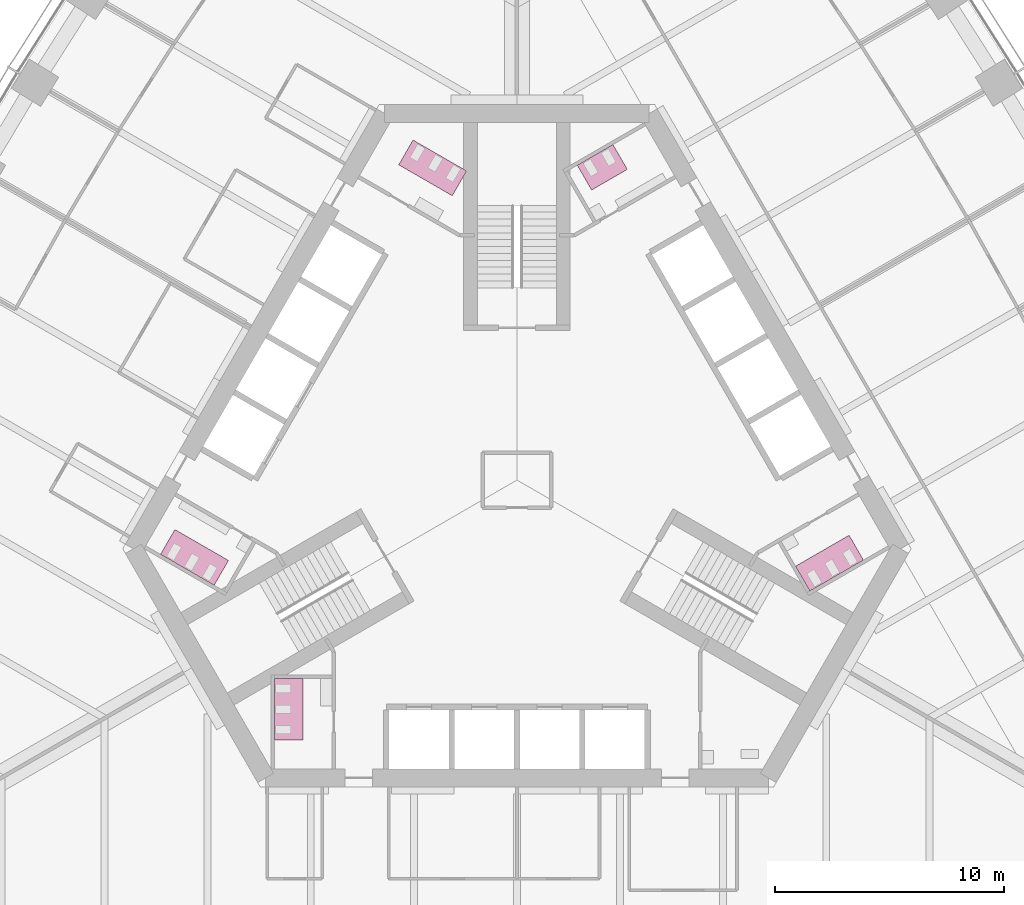
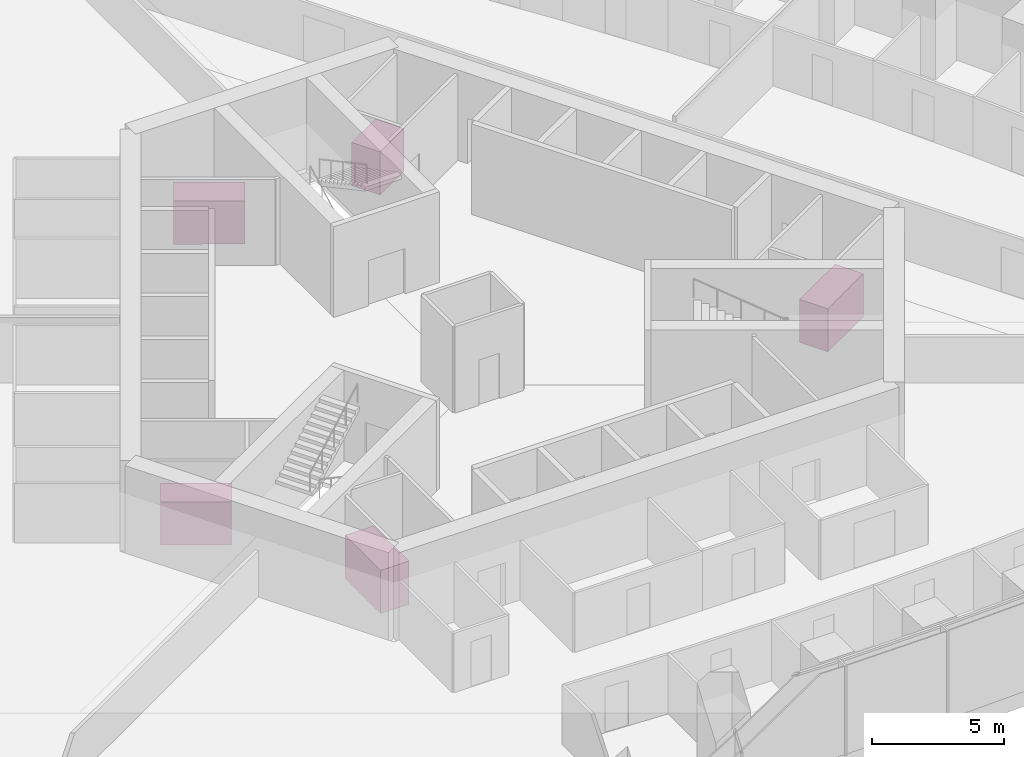
# One storey, part 18 of 18: 5 furniture elements.
"""IFC4 building model written with IfcOpenShell, lengths in metres."""

import ifcopenshell
import ifcopenshell.guid

model = None  # the IFC model being written
_history = None  # IfcOwnerHistory: only IFC2X3 demands one
_inside = {}  # id of a spatial element -> (the spatial element, [elements in it])
_under = {}  # id of a project, library or spatial element -> (it, [spatial elements below it])
_declared = {}  # id of a project -> (the project, [libraries it declares])
_typed = {}  # id of a type object -> (the type object, [elements of that type])
_made_of = {}  # id of a material, layer set ... -> (it, [elements and type objects made of it])


def new_model(schema):
    """Start an empty IFC model of exactly this schema.

    Asked for "IFC4X3", IfcOpenShell would pick the latest addendum, in which some entities
    have other attributes; the version numbers below select the first issue.
    IFC2X3 requires an IfcOwnerHistory on every rooted entity: one is made here for all.
    """
    global model, _history
    if schema == "IFC4X3":
        model = ifcopenshell.file(schema_version=(4, 3, 0, 0))
    else:
        model = ifcopenshell.file(schema=schema)
    _inside.clear()
    _under.clear()
    _declared.clear()
    _typed.clear()
    _made_of.clear()
    _history = None
    if model.schema == "IFC2X3":
        org = make("IfcOrganization", Name="unknown")
        user = make(
            "IfcPersonAndOrganization",
            ThePerson=make("IfcPerson", FamilyName="unknown"),
            TheOrganization=org,
        )
        app = make(
            "IfcApplication",
            ApplicationDeveloper=org,
            Version="unknown",
            ApplicationFullName="unknown",
            ApplicationIdentifier="unknown",
        )
        _history = make(
            "IfcOwnerHistory",
            OwningUser=user,
            OwningApplication=app,
            ChangeAction="ADDED",
            CreationDate=0,
        )
    return model


def make(cls, **values):
    """One entity of the class cls with the attributes given. An attribute that is None is left unset."""
    return model.create_entity(
        cls, **{name: value for name, value in values.items() if value is not None}
    )


def rooted(cls, **values):
    """An entity with a GlobalId (a new one), such as an element, a storey or a relation."""
    return make(cls, GlobalId=ifcopenshell.guid.new(), OwnerHistory=_history, **values)


def si_unit(unit_type, name, prefix=None):
    """IfcSIUnit, for example si_unit("LENGTHUNIT", "METRE", prefix="MILLI")."""
    return make("IfcSIUnit", UnitType=unit_type, Prefix=prefix, Name=name)


def assignment(units):
    """IfcUnitAssignment: the units of a project."""
    return None if units is None else make("IfcUnitAssignment", Units=units)


def point(xyz):
    """IfcCartesianPoint."""
    return None if xyz is None else make("IfcCartesianPoint", Coordinates=xyz)


def direction(xyz):
    """IfcDirection."""
    return None if xyz is None else make("IfcDirection", DirectionRatios=xyz)


def frame(location, z_axis=None, x_axis=None):
    """IfcAxis2Placement3D, a coordinate frame: its origin and axes. An axis left out is left unset."""
    return make(
        "IfcAxis2Placement3D",
        Location=point(location),
        Axis=direction(z_axis),
        RefDirection=direction(x_axis),
    )


def origin():
    """The frame at (0, 0, 0) with its axes left unset."""
    return frame((0.0, 0.0, 0.0))


def place(relative_to, where):
    """IfcLocalPlacement: puts the frame where relative to a parent placement (None: the world)."""
    return make(
        "IfcLocalPlacement", PlacementRelTo=relative_to, RelativePlacement=where
    )


def context(
    kind, dimensions, precision=None, world=None, true_north=None, identifier=None
):
    """IfcGeometricRepresentationContext, for example the 3D "Model" context."""
    return make(
        "IfcGeometricRepresentationContext",
        ContextIdentifier=identifier,
        ContextType=kind,
        CoordinateSpaceDimension=dimensions,
        Precision=precision,
        WorldCoordinateSystem=world,
        TrueNorth=true_north,
    )


def subcontext(parent, identifier, kind, view, scale=None):
    """IfcGeometricRepresentationSubContext, for example "Body" below "Model"."""
    return make(
        "IfcGeometricRepresentationSubContext",
        ContextIdentifier=identifier,
        ContextType=kind,
        ParentContext=parent,
        TargetScale=scale,
        TargetView=view,
    )


def project(units=None, contexts=None):
    """IfcProject with its units and contexts."""
    return rooted(
        "IfcProject",
        Name="project",
        RepresentationContexts=contexts,
        UnitsInContext=assignment(units),
    )


def spatial(cls, under=None, at=None, **own):
    """A site, building, storey or space (cls), placed at a placement, below another one or the project."""
    s = rooted(cls, ObjectPlacement=at, **own)
    if under is not None:
        _under.setdefault(under.id(), (under, []))[1].append(s)
    return s


def polyline(points):
    """IfcPolyline through the points."""
    return make("IfcPolyline", Points=[point(p) for p in points])


def outline(outer, holes=None, kind="AREA"):
    """IfcArbitraryClosedProfileDef: a profile drawn as a closed curve; with holes, ...WithVoids."""
    if holes is None:
        return make("IfcArbitraryClosedProfileDef", ProfileType=kind, OuterCurve=outer)
    return make(
        "IfcArbitraryProfileDefWithVoids",
        ProfileType=kind,
        OuterCurve=outer,
        InnerCurves=holes,
    )


def extrude(swept, where, along, depth):
    """IfcExtrudedAreaSolid: the profile swept, set in the frame where, extruded along a direction by depth."""
    return make(
        "IfcExtrudedAreaSolid",
        SweptArea=swept,
        Position=where,
        ExtrudedDirection=direction(along),
        Depth=depth,
    )


def shape(context_of_items, identifier, shape_type, items):
    """IfcShapeRepresentation: the items that make up one representation, for example the "Body"."""
    return make(
        "IfcShapeRepresentation",
        ContextOfItems=context_of_items,
        RepresentationIdentifier=identifier,
        RepresentationType=shape_type,
        Items=items,
    )


def material(Name=None, Category=None):
    """IfcMaterial."""
    return make("IfcMaterial", Name=Name, Category=Category)


def made_of(thing, what):
    """Note that an element or type object is made of a material, layer set ...; save() writes the relation."""
    if what is not None:
        _made_of.setdefault(what.id(), (what, []))[1].append(thing)
    return thing


def type_object(cls, material=None, **own):
    """A type object (cls), such as IfcWallType, which elements share."""
    return made_of(rooted(cls, **own), material)


def element(
    cls,
    number,
    at=None,
    inside=None,
    cuts=None,
    type_object=None,
    material=None,
    context=None,
    identifier="Body",
    shape_type=None,
    held_by="IfcProductDefinitionShape",
    body=None,
    shapes=None,
    **own,
):
    """One element of the class cls, such as IfcWall. Its Tag is "e" and its number.

    at: its placement. inside: the storey or other place that contains it. cuts: it is an
    opening in that element (IfcRelVoidsElement). A single representation is given by context,
    identifier, shape_type and body (its items); several are given by shapes. held_by: the class
    of the entity that holds the representations. save() writes the other relations.
    """
    e = rooted(cls, Tag="e%d" % number, ObjectPlacement=at, **own)
    if body is not None:
        shapes = [shape(context, identifier, shape_type, body)]
    if shapes is not None:
        e.Representation = make(held_by, Representations=shapes)
    if inside is not None:
        _inside.setdefault(inside.id(), (inside, []))[1].append(e)
    if cuts is not None:
        rooted(
            "IfcRelVoidsElement", RelatingBuildingElement=cuts, RelatedOpeningElement=e
        )
    if type_object is not None:
        _typed.setdefault(type_object.id(), (type_object, []))[1].append(e)
    return made_of(e, material)


def aggregate(whole, parts):
    """IfcRelAggregates: a whole, such as a stair, and the parts it consists of."""
    return rooted("IfcRelAggregates", RelatingObject=whole, RelatedObjects=parts)


def save(model, path):
    """Write the relations noted so far, then the file.

    IfcRelAggregates (storeys below a building ...), IfcRelContainedInSpatialStructure (elements
    in a storey), IfcRelDefinesByType, IfcRelAssociatesMaterial and IfcRelDeclares: one each for
    every whole, place, type object, material and project.
    """
    for whole, parts in _under.values():
        aggregate(whole, parts)
    for where, things in _inside.values():
        rooted(
            "IfcRelContainedInSpatialStructure",
            RelatedElements=things,
            RelatingStructure=where,
        )
    for kind, things in _typed.values():
        rooted("IfcRelDefinesByType", RelatedObjects=things, RelatingType=kind)
    for what, things in _made_of.values():
        rooted("IfcRelAssociatesMaterial", RelatedObjects=things, RelatingMaterial=what)
    for by, libraries in _declared.values():
        rooted("IfcRelDeclares", RelatingContext=by, RelatedDefinitions=libraries)
    model.write(path)


model = new_model("IFC4")

# Units and contexts
model_context = context("Model", 3, precision=1e-05, world=origin(), true_north=direction((0.0, 1.0)))
body_context = subcontext(model_context, "Body", "Model", "MODEL_VIEW")
ifc_project = project(units=[si_unit("LENGTHUNIT", "METRE"), si_unit("AREAUNIT", "SQUARE_METRE"), si_unit("VOLUMEUNIT", "CUBIC_METRE"), si_unit("PLANEANGLEUNIT", "RADIAN"), si_unit("MASSUNIT", "GRAM", prefix="KILO")], contexts=[model_context])

# Site, building, storey
site_placement = place(None, origin())
site = spatial("IfcSite", under=ifc_project, at=site_placement, CompositionType="ELEMENT")
building_placement = place(site_placement, origin())
building = spatial("IfcBuilding", under=site, at=building_placement, Name="Trefoil Bronze Tower", CompositionType="ELEMENT")
storey_placement = place(building_placement, frame((0.0, 0.0, 41.699951171875)))
storey = spatial("IfcBuildingStorey", under=building, at=storey_placement, Name="L09", CompositionType="ELEMENT", Elevation=41.699951171875)

# Furniture
ifc_material_1 = material(Name="Compact laminate cubicles", Category="plastic")
furniture_type_1 = type_object("IfcFurnitureType", Name="WC cubicle range 2 cubicles", AssemblyPlace="FACTORY", PredefinedType="USERDEFINED", material=ifc_material_1)
furniture_1_placement = place(storey_placement, origin())
element("IfcFurniture", 1, at=furniture_1_placement, inside=storey, type_object=furniture_type_1, Name="WC cubicle range WC (men) L09", ObjectType="WC cubicle range", PredefinedType="USERDEFINED", context=body_context, shape_type="SweptSolid", body=[
    extrude(outline(polyline([(3.256591796875, 12.659423828125), (2.631591796875, 13.741943359375), (4.1904296875, 14.641845703125), (4.8154296875, 13.559326171875), (3.256591796875, 12.659423828125)])), origin(), (0.0, 0.0, 1.0), 2.0),
])
ifc_material_2 = material(Name="Compact laminate cubicles", Category="plastic")
furniture_type_2 = type_object("IfcFurnitureType", Name="WC cubicle range 3 cubicles", AssemblyPlace="FACTORY", PredefinedType="USERDEFINED", material=ifc_material_2)
furniture_2_placement = place(storey_placement, origin())
element("IfcFurniture", 2, at=furniture_2_placement, inside=storey, type_object=furniture_type_2, Name="WC cubicle range WC (women) L09", ObjectType="WC cubicle range", PredefinedType="USERDEFINED", context=body_context, shape_type="SweptSolid", body=[
    extrude(outline(polyline([(12.15869140625, -3.75927734375), (12.78369140625, -4.841796875), (15.121826171875, -3.491943359375), (14.496826171875, -2.409423828125), (12.15869140625, -3.75927734375)])), origin(), (0.0, 0.0, 1.0), 2.0),
])
furniture_3_placement = place(storey_placement, origin())
element("IfcFurniture", 3, at=furniture_3_placement, inside=storey, type_object=furniture_type_2, Name="WC cubicle range WC (women) L09", ObjectType="WC cubicle range", PredefinedType="USERDEFINED", context=body_context, shape_type="SweptSolid", body=[
    extrude(outline(polyline([(-2.82373046875, 12.409423828125), (-2.19873046875, 13.491943359375), (-4.536865234375, 14.841796875), (-5.161865234375, 13.75927734375), (-2.82373046875, 12.409423828125)])), origin(), (0.0, 0.0, 1.0), 2.0),
])
furniture_4_placement = place(storey_placement, origin())
element("IfcFurniture", 4, at=furniture_4_placement, inside=storey, type_object=furniture_type_2, Name="WC cubicle range WC (men) L09", ObjectType="WC cubicle range", PredefinedType="USERDEFINED", context=body_context, shape_type="SweptSolid", body=[
    extrude(outline(polyline([(-12.591552734375, -3.50927734375), (-13.216552734375, -4.591796875), (-15.554931640625, -3.241943359375), (-14.929931640625, -2.159423828125), (-12.591552734375, -3.50927734375)])), origin(), (0.0, 0.0, 1.0), 2.0),
])
furniture_5_placement = place(storey_placement, origin())
element("IfcFurniture", 5, at=furniture_5_placement, inside=storey, type_object=furniture_type_2, Name="WC cubicle range WC (women) L09", ObjectType="WC cubicle range", PredefinedType="USERDEFINED", context=body_context, shape_type="SweptSolid", body=[
    extrude(outline(polyline([(-9.3349609375, -8.64990234375), (-10.5849609375, -8.64990234375), (-10.5849609375, -11.35009765625), (-9.3349609375, -11.35009765625), (-9.3349609375, -8.64990234375)])), origin(), (0.0, 0.0, 1.0), 2.0),
])

save(model, "model.ifc")
